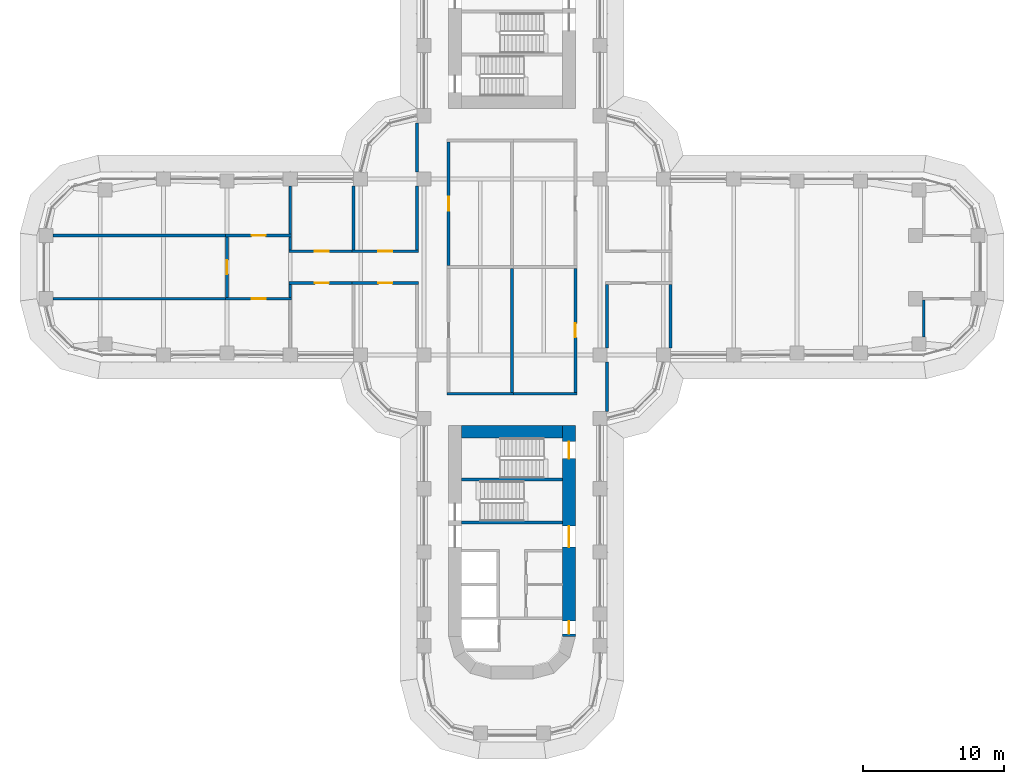
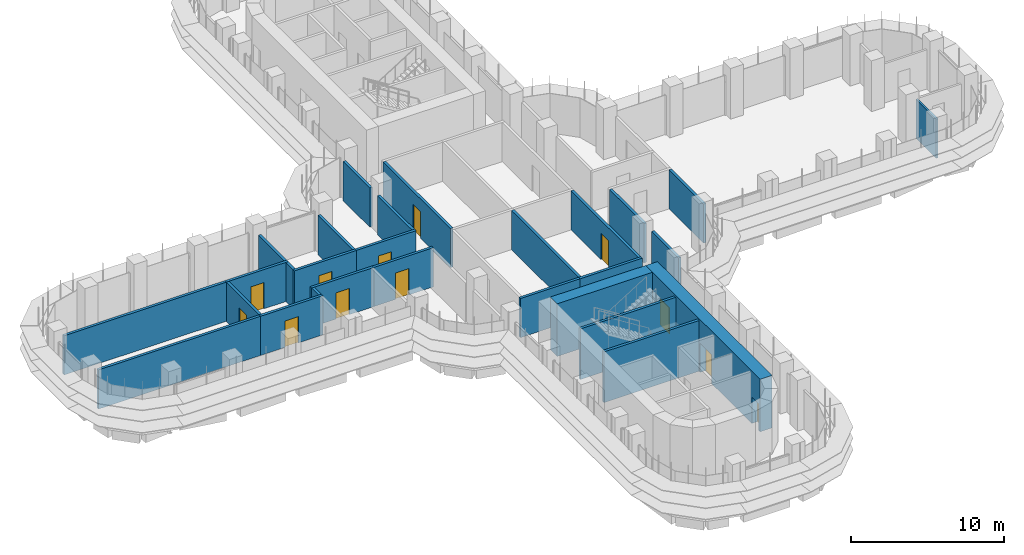
# One storey, part 17 of 23: 28 walls, 12 doors, 12 openings.
"""IFC4 building model written with IfcOpenShell, lengths in metres."""

import ifcopenshell
import ifcopenshell.guid

model = None  # the IFC model being written
_history = None  # IfcOwnerHistory: only IFC2X3 demands one
_inside = {}  # id of a spatial element -> (the spatial element, [elements in it])
_under = {}  # id of a project, library or spatial element -> (it, [spatial elements below it])
_declared = {}  # id of a project -> (the project, [libraries it declares])
_typed = {}  # id of a type object -> (the type object, [elements of that type])
_made_of = {}  # id of a material, layer set ... -> (it, [elements and type objects made of it])


def new_model(schema):
    """Start an empty IFC model of exactly this schema.

    Asked for "IFC4X3", IfcOpenShell would pick the latest addendum, in which some entities
    have other attributes; the version numbers below select the first issue.
    IFC2X3 requires an IfcOwnerHistory on every rooted entity: one is made here for all.
    """
    global model, _history
    if schema == "IFC4X3":
        model = ifcopenshell.file(schema_version=(4, 3, 0, 0))
    else:
        model = ifcopenshell.file(schema=schema)
    _inside.clear()
    _under.clear()
    _declared.clear()
    _typed.clear()
    _made_of.clear()
    _history = None
    if model.schema == "IFC2X3":
        org = make("IfcOrganization", Name="unknown")
        user = make(
            "IfcPersonAndOrganization",
            ThePerson=make("IfcPerson", FamilyName="unknown"),
            TheOrganization=org,
        )
        app = make(
            "IfcApplication",
            ApplicationDeveloper=org,
            Version="unknown",
            ApplicationFullName="unknown",
            ApplicationIdentifier="unknown",
        )
        _history = make(
            "IfcOwnerHistory",
            OwningUser=user,
            OwningApplication=app,
            ChangeAction="ADDED",
            CreationDate=0,
        )
    return model


def make(cls, **values):
    """One entity of the class cls with the attributes given. An attribute that is None is left unset."""
    return model.create_entity(
        cls, **{name: value for name, value in values.items() if value is not None}
    )


def rooted(cls, **values):
    """An entity with a GlobalId (a new one), such as an element, a storey or a relation."""
    return make(cls, GlobalId=ifcopenshell.guid.new(), OwnerHistory=_history, **values)


def si_unit(unit_type, name, prefix=None):
    """IfcSIUnit, for example si_unit("LENGTHUNIT", "METRE", prefix="MILLI")."""
    return make("IfcSIUnit", UnitType=unit_type, Prefix=prefix, Name=name)


def assignment(units):
    """IfcUnitAssignment: the units of a project."""
    return None if units is None else make("IfcUnitAssignment", Units=units)


def point(xyz):
    """IfcCartesianPoint."""
    return None if xyz is None else make("IfcCartesianPoint", Coordinates=xyz)


def direction(xyz):
    """IfcDirection."""
    return None if xyz is None else make("IfcDirection", DirectionRatios=xyz)


def frame(location, z_axis=None, x_axis=None):
    """IfcAxis2Placement3D, a coordinate frame: its origin and axes. An axis left out is left unset."""
    return make(
        "IfcAxis2Placement3D",
        Location=point(location),
        Axis=direction(z_axis),
        RefDirection=direction(x_axis),
    )


def frame_2d(location, x_axis=None):
    """IfcAxis2Placement2D, a coordinate frame in the plane: its origin and x axis."""
    return make(
        "IfcAxis2Placement2D", Location=point(location), RefDirection=direction(x_axis)
    )


def origin():
    """The frame at (0, 0, 0) with its axes left unset."""
    return frame((0.0, 0.0, 0.0))


def place(relative_to, where):
    """IfcLocalPlacement: puts the frame where relative to a parent placement (None: the world)."""
    return make(
        "IfcLocalPlacement", PlacementRelTo=relative_to, RelativePlacement=where
    )


def context(
    kind, dimensions, precision=None, world=None, true_north=None, identifier=None
):
    """IfcGeometricRepresentationContext, for example the 3D "Model" context."""
    return make(
        "IfcGeometricRepresentationContext",
        ContextIdentifier=identifier,
        ContextType=kind,
        CoordinateSpaceDimension=dimensions,
        Precision=precision,
        WorldCoordinateSystem=world,
        TrueNorth=true_north,
    )


def subcontext(parent, identifier, kind, view, scale=None):
    """IfcGeometricRepresentationSubContext, for example "Body" below "Model"."""
    return make(
        "IfcGeometricRepresentationSubContext",
        ContextIdentifier=identifier,
        ContextType=kind,
        ParentContext=parent,
        TargetScale=scale,
        TargetView=view,
    )


def project(units=None, contexts=None):
    """IfcProject with its units and contexts."""
    return rooted(
        "IfcProject",
        Name="project",
        RepresentationContexts=contexts,
        UnitsInContext=assignment(units),
    )


def spatial(cls, under=None, at=None, **own):
    """A site, building, storey or space (cls), placed at a placement, below another one or the project."""
    s = rooted(cls, ObjectPlacement=at, **own)
    if under is not None:
        _under.setdefault(under.id(), (under, []))[1].append(s)
    return s


def profile(cls, at=None, kind="AREA", **sizes):
    """A parametric profile (cls). Its sizes go by their IFC names, for example OverallWidth=200.0."""
    return make(cls, ProfileType=kind, Position=at, **sizes)


def rectangle(**sizes):
    """IfcRectangleProfileDef."""
    return profile("IfcRectangleProfileDef", **sizes)


def extrude(swept, where, along, depth):
    """IfcExtrudedAreaSolid: the profile swept, set in the frame where, extruded along a direction by depth."""
    return make(
        "IfcExtrudedAreaSolid",
        SweptArea=swept,
        Position=where,
        ExtrudedDirection=direction(along),
        Depth=depth,
    )


def shape(context_of_items, identifier, shape_type, items):
    """IfcShapeRepresentation: the items that make up one representation, for example the "Body"."""
    return make(
        "IfcShapeRepresentation",
        ContextOfItems=context_of_items,
        RepresentationIdentifier=identifier,
        RepresentationType=shape_type,
        Items=items,
    )


def material(Name=None, Category=None):
    """IfcMaterial."""
    return make("IfcMaterial", Name=Name, Category=Category)


def layer(
    of_material, thickness, ventilated=None, Name=None, Category=None, Priority=None
):
    """IfcMaterialLayer: one layer of a wall or slab, of a material (None: an air gap)."""
    return make(
        "IfcMaterialLayer",
        Material=of_material,
        LayerThickness=thickness,
        IsVentilated=ventilated,
        Name=Name,
        Category=Category,
        Priority=Priority,
    )


def layer_set(layers, Name=None):
    """IfcMaterialLayerSet."""
    return make("IfcMaterialLayerSet", MaterialLayers=layers, LayerSetName=Name)


def made_of(thing, what):
    """Note that an element or type object is made of a material, layer set ...; save() writes the relation."""
    if what is not None:
        _made_of.setdefault(what.id(), (what, []))[1].append(thing)
    return thing


def type_object(cls, material=None, **own):
    """A type object (cls), such as IfcWallType, which elements share."""
    return made_of(rooted(cls, **own), material)


def element(
    cls,
    number,
    at=None,
    inside=None,
    cuts=None,
    type_object=None,
    material=None,
    context=None,
    identifier="Body",
    shape_type=None,
    held_by="IfcProductDefinitionShape",
    body=None,
    shapes=None,
    **own,
):
    """One element of the class cls, such as IfcWall. Its Tag is "e" and its number.

    at: its placement. inside: the storey or other place that contains it. cuts: it is an
    opening in that element (IfcRelVoidsElement). A single representation is given by context,
    identifier, shape_type and body (its items); several are given by shapes. held_by: the class
    of the entity that holds the representations. save() writes the other relations.
    """
    e = rooted(cls, Tag="e%d" % number, ObjectPlacement=at, **own)
    if body is not None:
        shapes = [shape(context, identifier, shape_type, body)]
    if shapes is not None:
        e.Representation = make(held_by, Representations=shapes)
    if inside is not None:
        _inside.setdefault(inside.id(), (inside, []))[1].append(e)
    if cuts is not None:
        rooted(
            "IfcRelVoidsElement", RelatingBuildingElement=cuts, RelatedOpeningElement=e
        )
    if type_object is not None:
        _typed.setdefault(type_object.id(), (type_object, []))[1].append(e)
    return made_of(e, material)


def fill(opening, filler):
    """IfcRelFillsElement: the door or window that sits in an opening."""
    return rooted(
        "IfcRelFillsElement",
        RelatingOpeningElement=opening,
        RelatedBuildingElement=filler,
    )


def aggregate(whole, parts):
    """IfcRelAggregates: a whole, such as a stair, and the parts it consists of."""
    return rooted("IfcRelAggregates", RelatingObject=whole, RelatedObjects=parts)


def save(model, path):
    """Write the relations noted so far, then the file.

    IfcRelAggregates (storeys below a building ...), IfcRelContainedInSpatialStructure (elements
    in a storey), IfcRelDefinesByType, IfcRelAssociatesMaterial and IfcRelDeclares: one each for
    every whole, place, type object, material and project.
    """
    for whole, parts in _under.values():
        aggregate(whole, parts)
    for where, things in _inside.values():
        rooted(
            "IfcRelContainedInSpatialStructure",
            RelatedElements=things,
            RelatingStructure=where,
        )
    for kind, things in _typed.values():
        rooted("IfcRelDefinesByType", RelatedObjects=things, RelatingType=kind)
    for what, things in _made_of.values():
        rooted("IfcRelAssociatesMaterial", RelatedObjects=things, RelatingMaterial=what)
    for by, libraries in _declared.values():
        rooted("IfcRelDeclares", RelatingContext=by, RelatedDefinitions=libraries)
    model.write(path)


model = new_model("IFC4")

# Units and contexts
model_context = context("Model", 3, precision=1e-05, world=origin(), true_north=direction((0.0, 1.0)))
body_context = subcontext(model_context, "Body", "Model", "MODEL_VIEW")
ifc_project = project(units=[si_unit("LENGTHUNIT", "METRE"), si_unit("AREAUNIT", "SQUARE_METRE"), si_unit("VOLUMEUNIT", "CUBIC_METRE"), si_unit("PLANEANGLEUNIT", "RADIAN"), si_unit("MASSUNIT", "GRAM", prefix="KILO")], contexts=[model_context])

# Site, building, storey
site_placement = place(None, origin())
site = spatial("IfcSite", under=ifc_project, at=site_placement, CompositionType="ELEMENT")
building_placement = place(site_placement, origin())
building = spatial("IfcBuilding", under=site, at=building_placement, Name="Zarbagh Exchange Tower", CompositionType="ELEMENT")
storey_placement = place(building_placement, frame((0.0, 0.0, 60.60009765625)))
storey = spatial("IfcBuildingStorey", under=building, at=storey_placement, Name="L13", CompositionType="ELEMENT", Elevation=60.60009765625)

# Wall
ifc_material_1 = material(Name="Plasterboard partition")
ifc_layer_1 = layer(ifc_material_1, 0.14990234375)
ifc_layer_set_1 = layer_set([ifc_layer_1], Name="PARTITION 150")
wall_type_1 = type_object("IfcWallType", Name="PARTITION 150", PredefinedType="PARTITIONING", material=ifc_layer_set_1)
wall_1_placement = place(storey_placement, frame((29.25, -4.97509765625, 0.0), z_axis=(0.0, 0.0, 1.0), x_axis=(0.0, 1.0, 0.0)))
element("IfcWall", 1, at=wall_1_placement, inside=storey, type_object=wall_type_1, Name="Partition W-429", PredefinedType="PARTITIONING", context=body_context, shape_type="SweptSolid", body=[
    extrude(rectangle(XDim=2.650146484375, YDim=0.14990234375, at=frame_2d((1.3251953125, 0.0))), origin(), (0.0, 0.0, 1.0), 3.13037109375),
])

# Wall, opening, door
ifc_material_2 = material(Name="Fire-rated plasterboard partition")
ifc_layer_2 = layer(ifc_material_2, 0.199951171875)
ifc_layer_set_2 = layer_set([ifc_layer_2], Name="RATED PARTITION 200")
wall_type_2 = type_object("IfcWallType", Name="RATED PARTITION 200", PredefinedType="PARTITIONING", material=ifc_layer_set_2)
wall_2_placement = place(storey_placement, frame((-4.5, 8.89990234375, 0.0), z_axis=(0.0, 0.0, 1.0), x_axis=(0.0, -1.0, 0.0)))
wall_2 = element("IfcWall", 2, at=wall_2_placement, inside=storey, type_object=wall_type_2, Name="Partition W-401", PredefinedType="PARTITIONING", context=body_context, shape_type="SweptSolid", body=[
    extrude(rectangle(XDim=8.7998046875, YDim=0.199951171875, at=frame_2d((4.39990234375, 0.0))), origin(), (0.0, 0.0, 1.0), 3.13037109375),
])
opening_1_placement = place(wall_2_placement, frame((3.89990234375, 0.0, 0.0)))
opening_1 = element("IfcOpeningElement", 3, at=opening_1_placement, cuts=wall_2, Name="Opening D-402", PredefinedType="OPENING", context=body_context, shape_type="SweptSolid", body=[
    extrude(rectangle(XDim=1.0, YDim=2.10009765625, at=frame_2d((0.5, 1.050048828125))), frame((0.0, 0.10986328125, 0.0), z_axis=(0.0, -1.0, 0.0), x_axis=(1.0, 0.0, 0.0)), (0.0, 0.0, 1.0), 0.219970703125),
])
ifc_material_3 = material(Name="Steel door set", Category="steel")
door_type_1 = type_object("IfcDoorType", Name="FIRE DOOR 1000 X 2100 FD30S", OperationType="NOTDEFINED", PredefinedType="DOOR", material=ifc_material_3)
door_1_placement = place(opening_1_placement, origin())
door_1 = element("IfcDoor", 4, at=door_1_placement, inside=storey, type_object=door_type_1, Name="Door D-402", OperationType="SINGLE_SWING_RIGHT", OverallHeight=2.10009765625, OverallWidth=1.0, PredefinedType="DOOR", context=body_context, shape_type="SweptSolid", body=[
    extrude(rectangle(XDim=1.0, YDim=2.10009765625, at=frame_2d((0.5, 1.050048828125))), frame((0.0, 0.02490234375, 0.0), z_axis=(0.0, -1.0, 0.0), x_axis=(1.0, 0.0, 0.0)), (0.0, 0.0, 1.0), 0.050048828125),
])
fill(opening_1, door_1)

# Walls
wall_3_placement = place(storey_placement, frame((-6.75, 1.22509765625, 0.0), z_axis=(0.0, 0.0, 1.0), x_axis=(0.0, 1.0, 0.0)))
element("IfcWall", 5, at=wall_3_placement, inside=storey, type_object=wall_type_2, Name="Partition W-403", PredefinedType="PARTITIONING", context=body_context, shape_type="SweptSolid", body=[
    extrude(rectangle(XDim=4.52490234375, YDim=0.199951171875, at=frame_2d((2.262451171875, 0.0))), origin(), (0.0, 0.0, 1.0), 3.13037109375),
])
wall_4_placement = place(storey_placement, frame((-6.75, 6.75, 0.0), z_axis=(0.0, 0.0, 1.0), x_axis=(0.0, 1.0, 0.0)))
element("IfcWall", 6, at=wall_4_placement, inside=storey, type_object=wall_type_2, Name="Partition W-404", PredefinedType="PARTITIONING", context=body_context, shape_type="SweptSolid", body=[
    extrude(rectangle(XDim=3.5, YDim=0.199951171875, at=frame_2d((1.75, 0.0))), origin(), (0.0, 0.0, 1.0), 3.13037109375),
])

# Wall, opening, door
wall_5_placement = place(storey_placement, frame((4.5, -8.89990234375, 0.0), z_axis=(0.0, 0.0, 1.0), x_axis=(0.0, 1.0, 0.0)))
wall_5 = element("IfcWall", 7, at=wall_5_placement, inside=storey, type_object=wall_type_2, Name="Partition W-408", PredefinedType="PARTITIONING", context=body_context, shape_type="SweptSolid", body=[
    extrude(rectangle(XDim=8.7998046875, YDim=0.199951171875, at=frame_2d((4.39990234375, 0.0))), origin(), (0.0, 0.0, 1.0), 3.13037109375),
])
opening_2_placement = place(wall_5_placement, frame((3.89990234375, 0.0, 0.0)))
opening_2 = element("IfcOpeningElement", 8, at=opening_2_placement, cuts=wall_5, Name="Opening D-403", PredefinedType="OPENING", context=body_context, shape_type="SweptSolid", body=[
    extrude(rectangle(XDim=1.0, YDim=2.10009765625, at=frame_2d((0.5, 1.050048828125))), frame((0.0, 0.10986328125, 0.0), z_axis=(0.0, -1.0, 0.0), x_axis=(1.0, 0.0, 0.0)), (0.0, 0.0, 1.0), 0.219970703125),
])
door_2_placement = place(opening_2_placement, origin())
door_2 = element("IfcDoor", 9, at=door_2_placement, inside=storey, type_object=door_type_1, Name="Door D-403", OperationType="SINGLE_SWING_RIGHT", OverallHeight=2.10009765625, OverallWidth=1.0, PredefinedType="DOOR", context=body_context, shape_type="SweptSolid", body=[
    extrude(rectangle(XDim=1.0, YDim=2.10009765625, at=frame_2d((0.5, 1.050048828125))), frame((0.0, 0.02490234375, 0.0), z_axis=(0.0, -1.0, 0.0), x_axis=(1.0, 0.0, 0.0)), (0.0, 0.0, 1.0), 0.050048828125),
])
fill(opening_2, door_2)

# Walls
wall_6_placement = place(storey_placement, frame((6.75, -10.25, 0.0), z_axis=(0.0, 0.0, 1.0), x_axis=(0.0, 1.0, 0.0)))
element("IfcWall", 10, at=wall_6_placement, inside=storey, type_object=wall_type_2, Name="Partition W-411", PredefinedType="PARTITIONING", context=body_context, shape_type="SweptSolid", body=[
    extrude(rectangle(XDim=3.5, YDim=0.199951171875, at=frame_2d((1.75, 0.0))), origin(), (0.0, 0.0, 1.0), 3.13037109375),
])
wall_7_placement = place(storey_placement, frame((6.75, -5.75, 0.0), z_axis=(0.0, 0.0, 1.0), x_axis=(0.0, 1.0, 0.0)))
element("IfcWall", 11, at=wall_7_placement, inside=storey, type_object=wall_type_2, Name="Partition W-412", PredefinedType="PARTITIONING", context=body_context, shape_type="SweptSolid", body=[
    extrude(rectangle(XDim=4.52490234375, YDim=0.199951171875, at=frame_2d((2.262451171875, 0.0))), origin(), (0.0, 0.0, 1.0), 3.13037109375),
])
for number, where, z_axis, x_axis, name in (
    (12, (-4.60009765625, -9.0, 0.0), (0.0, 0.0, 1.0), (1.0, 0.0, 0.0), "Partition W-415"),
    (13, (-0.10009765625, -9.0, 0.0), (0.0, 0.0, 1.0), (1.0, 0.0, 0.0), "Partition W-416"),
):
    element("IfcWall", number, at=place(storey_placement, frame(where, z_axis=z_axis, x_axis=x_axis)), inside=storey, type_object=wall_type_2, Name=name, PredefinedType="PARTITIONING", context=body_context, shape_type="SweptSolid", body=[
        extrude(rectangle(XDim=4.7001953125, YDim=0.199951171875, at=frame_2d((2.35009765625, 0.0))), origin(), (0.0, 0.0, 1.0), 3.13037109375),
    ])
wall_8_placement = place(storey_placement, frame((0.0, -8.89990234375, 0.0), z_axis=(0.0, 0.0, 1.0), x_axis=(0.0, 1.0, 0.0)))
element("IfcWall", 14, at=wall_8_placement, inside=storey, type_object=wall_type_2, Name="Partition W-420", PredefinedType="PARTITIONING", context=body_context, shape_type="SweptSolid", body=[
    extrude(rectangle(XDim=8.7998046875, YDim=0.199951171875, at=frame_2d((4.39990234375, 0.0))), origin(), (0.0, 0.0, 1.0), 3.13037109375),
])
wall_9_placement = place(storey_placement, frame((11.25, -5.75, 0.0), z_axis=(0.0, 0.0, 1.0), x_axis=(0.0, 1.0, 0.0)))
element("IfcWall", 15, at=wall_9_placement, inside=storey, type_object=wall_type_2, Name="Partition W-425", PredefinedType="PARTITIONING", context=body_context, shape_type="SweptSolid", body=[
    extrude(rectangle(XDim=4.52490234375, YDim=0.199951171875, at=frame_2d((2.262451171875, 0.0))), origin(), (0.0, 0.0, 1.0), 3.13037109375),
])

# Wall, opening, door
wall_10_placement = place(storey_placement, frame((-11.35009765625, 1.125, 0.0), z_axis=(0.0, 0.0, 1.0), x_axis=(1.0, 0.0, 0.0)))
wall_10 = element("IfcWall", 16, at=wall_10_placement, inside=storey, type_object=wall_type_2, Name="Partition W-430", PredefinedType="PARTITIONING", context=body_context, shape_type="SweptSolid", body=[
    extrude(rectangle(XDim=4.7001953125, YDim=0.199951171875, at=frame_2d((2.35009765625, 0.0))), origin(), (0.0, 0.0, 1.0), 3.13037109375),
])
opening_3_placement = place(wall_10_placement, frame((1.85009765625, 0.0, 0.0)))
opening_3 = element("IfcOpeningElement", 17, at=opening_3_placement, cuts=wall_10, Name="Opening D-412", PredefinedType="OPENING", context=body_context, shape_type="SweptSolid", body=[
    extrude(rectangle(XDim=1.0, YDim=2.10009765625, at=frame_2d((0.5, 1.050048828125))), frame((0.0, 0.10986328125, 0.0), z_axis=(0.0, -1.0, 0.0), x_axis=(1.0, 0.0, 0.0)), (0.0, 0.0, 1.0), 0.219970703125),
])
door_3_placement = place(opening_3_placement, origin())
door_3 = element("IfcDoor", 18, at=door_3_placement, inside=storey, type_object=door_type_1, Name="Door D-412", OperationType="SINGLE_SWING_RIGHT", OverallHeight=2.10009765625, OverallWidth=1.0, PredefinedType="DOOR", context=body_context, shape_type="SweptSolid", body=[
    extrude(rectangle(XDim=1.0, YDim=2.10009765625, at=frame_2d((0.5, 1.050048828125))), frame((0.0, 0.02490234375, 0.0), z_axis=(0.0, -1.0, 0.0), x_axis=(1.0, 0.0, 0.0)), (0.0, 0.0, 1.0), 0.050048828125),
])
fill(opening_3, door_3)

wall_11_placement = place(storey_placement, frame((-6.64990234375, -1.125, 0.0), z_axis=(0.0, 0.0, 1.0), x_axis=(-1.0, 0.0, 0.0)))
wall_11 = element("IfcWall", 19, at=wall_11_placement, inside=storey, type_object=wall_type_2, Name="Partition W-431", PredefinedType="PARTITIONING", context=body_context, shape_type="SweptSolid", body=[
    extrude(rectangle(XDim=4.7001953125, YDim=0.199951171875, at=frame_2d((2.35009765625, 0.0))), origin(), (0.0, 0.0, 1.0), 3.13037109375),
])
opening_4_placement = place(wall_11_placement, frame((1.85009765625, 0.0, 0.0)))
opening_4 = element("IfcOpeningElement", 20, at=opening_4_placement, cuts=wall_11, Name="Opening D-415", PredefinedType="OPENING", context=body_context, shape_type="SweptSolid", body=[
    extrude(rectangle(XDim=1.0, YDim=2.10009765625, at=frame_2d((0.5, 1.050048828125))), frame((0.0, 0.10986328125, 0.0), z_axis=(0.0, -1.0, 0.0), x_axis=(1.0, 0.0, 0.0)), (0.0, 0.0, 1.0), 0.219970703125),
])
door_4_placement = place(opening_4_placement, origin())
door_4 = element("IfcDoor", 21, at=door_4_placement, inside=storey, type_object=door_type_1, Name="Door D-415", OperationType="SINGLE_SWING_RIGHT", OverallHeight=2.10009765625, OverallWidth=1.0, PredefinedType="DOOR", context=body_context, shape_type="SweptSolid", body=[
    extrude(rectangle(XDim=1.0, YDim=2.10009765625, at=frame_2d((0.5, 1.050048828125))), frame((0.0, 0.02490234375, 0.0), z_axis=(0.0, -1.0, 0.0), x_axis=(1.0, 0.0, 0.0)), (0.0, 0.0, 1.0), 0.050048828125),
])
fill(opening_4, door_4)

wall_12_placement = place(storey_placement, frame((-15.85009765625, 1.125, 0.0), z_axis=(0.0, 0.0, 1.0), x_axis=(1.0, 0.0, 0.0)))
wall_12 = element("IfcWall", 22, at=wall_12_placement, inside=storey, type_object=wall_type_2, Name="Partition W-432", PredefinedType="PARTITIONING", context=body_context, shape_type="SweptSolid", body=[
    extrude(rectangle(XDim=4.7001953125, YDim=0.199951171875, at=frame_2d((2.35009765625, 0.0))), origin(), (0.0, 0.0, 1.0), 3.13037109375),
])
opening_5_placement = place(wall_12_placement, frame((1.85009765625, 0.0, 0.0)))
opening_5 = element("IfcOpeningElement", 23, at=opening_5_placement, cuts=wall_12, Name="Opening D-413", PredefinedType="OPENING", context=body_context, shape_type="SweptSolid", body=[
    extrude(rectangle(XDim=1.0, YDim=2.10009765625, at=frame_2d((0.5, 1.050048828125))), frame((0.0, 0.10986328125, 0.0), z_axis=(0.0, -1.0, 0.0), x_axis=(1.0, 0.0, 0.0)), (0.0, 0.0, 1.0), 0.219970703125),
])
door_5_placement = place(opening_5_placement, origin())
door_5 = element("IfcDoor", 24, at=door_5_placement, inside=storey, type_object=door_type_1, Name="Door D-413", OperationType="SINGLE_SWING_RIGHT", OverallHeight=2.10009765625, OverallWidth=1.0, PredefinedType="DOOR", context=body_context, shape_type="SweptSolid", body=[
    extrude(rectangle(XDim=1.0, YDim=2.10009765625, at=frame_2d((0.5, 1.050048828125))), frame((0.0, 0.02490234375, 0.0), z_axis=(0.0, -1.0, 0.0), x_axis=(1.0, 0.0, 0.0)), (0.0, 0.0, 1.0), 0.050048828125),
])
fill(opening_5, door_5)

wall_13_placement = place(storey_placement, frame((-11.14990234375, -1.125, 0.0), z_axis=(0.0, 0.0, 1.0), x_axis=(-1.0, 0.0, 0.0)))
wall_13 = element("IfcWall", 25, at=wall_13_placement, inside=storey, type_object=wall_type_2, Name="Partition W-433", PredefinedType="PARTITIONING", context=body_context, shape_type="SweptSolid", body=[
    extrude(rectangle(XDim=4.7001953125, YDim=0.199951171875, at=frame_2d((2.35009765625, 0.0))), origin(), (0.0, 0.0, 1.0), 3.13037109375),
])
opening_6_placement = place(wall_13_placement, frame((1.85009765625, 0.0, 0.0)))
opening_6 = element("IfcOpeningElement", 26, at=opening_6_placement, cuts=wall_13, Name="Opening D-416", PredefinedType="OPENING", context=body_context, shape_type="SweptSolid", body=[
    extrude(rectangle(XDim=1.0, YDim=2.10009765625, at=frame_2d((0.5, 1.050048828125))), frame((0.0, 0.10986328125, 0.0), z_axis=(0.0, -1.0, 0.0), x_axis=(1.0, 0.0, 0.0)), (0.0, 0.0, 1.0), 0.219970703125),
])
door_6_placement = place(opening_6_placement, origin())
door_6 = element("IfcDoor", 27, at=door_6_placement, inside=storey, type_object=door_type_1, Name="Door D-416", OperationType="SINGLE_SWING_RIGHT", OverallHeight=2.10009765625, OverallWidth=1.0, PredefinedType="DOOR", context=body_context, shape_type="SweptSolid", body=[
    extrude(rectangle(XDim=1.0, YDim=2.10009765625, at=frame_2d((0.5, 1.050048828125))), frame((0.0, 0.02490234375, 0.0), z_axis=(0.0, -1.0, 0.0), x_axis=(1.0, 0.0, 0.0)), (0.0, 0.0, 1.0), 0.050048828125),
])
fill(opening_6, door_6)

# Walls
wall_14_placement = place(storey_placement, frame((-11.25, 1.22509765625, 0.0), z_axis=(0.0, 0.0, 1.0), x_axis=(0.0, 1.0, 0.0)))
element("IfcWall", 28, at=wall_14_placement, inside=storey, type_object=wall_type_2, Name="Partition W-434", PredefinedType="PARTITIONING", context=body_context, shape_type="SweptSolid", body=[
    extrude(rectangle(XDim=4.52490234375, YDim=0.199951171875, at=frame_2d((2.262451171875, 0.0))), origin(), (0.0, 0.0, 1.0), 3.13037109375),
])
wall_15_placement = place(storey_placement, frame((-15.75, 1.22509765625, 0.0), z_axis=(0.0, 0.0, 1.0), x_axis=(0.0, 1.0, 0.0)))
element("IfcWall", 29, at=wall_15_placement, inside=storey, type_object=wall_type_2, Name="Partition W-436", PredefinedType="PARTITIONING", context=body_context, shape_type="SweptSolid", body=[
    extrude(rectangle(XDim=0.9248046875, YDim=0.199951171875, at=frame_2d((0.46240234375, 0.0))), origin(), (0.0, 0.0, 1.0), 3.13037109375),
])
wall_16_placement = place(storey_placement, frame((-15.75, 2.35009765625, 0.0), z_axis=(0.0, 0.0, 1.0), x_axis=(0.0, 1.0, 0.0)))
element("IfcWall", 30, at=wall_16_placement, inside=storey, type_object=wall_type_2, Name="Partition W-437", PredefinedType="PARTITIONING", context=body_context, shape_type="SweptSolid", body=[
    extrude(rectangle(XDim=3.39990234375, YDim=0.199951171875, at=frame_2d((1.699951171875, 0.0))), origin(), (0.0, 0.0, 1.0), 3.13037109375),
])
wall_17_placement = place(storey_placement, frame((-15.75, -2.14990234375, 0.0), z_axis=(0.0, 0.0, 1.0), x_axis=(0.0, 1.0, 0.0)))
element("IfcWall", 31, at=wall_17_placement, inside=storey, type_object=wall_type_2, Name="Partition W-438", PredefinedType="PARTITIONING", context=body_context, shape_type="SweptSolid", body=[
    extrude(rectangle(XDim=0.9248046875, YDim=0.199951171875, at=frame_2d((0.46240234375, 0.0))), origin(), (0.0, 0.0, 1.0), 3.13037109375),
])

# Wall, opening, door
wall_18_placement = place(storey_placement, frame((-20.35009765625, 2.25, 0.0), z_axis=(0.0, 0.0, 1.0), x_axis=(1.0, 0.0, 0.0)))
wall_18 = element("IfcWall", 32, at=wall_18_placement, inside=storey, type_object=wall_type_2, Name="Partition W-440", PredefinedType="PARTITIONING", context=body_context, shape_type="SweptSolid", body=[
    extrude(rectangle(XDim=4.7001953125, YDim=0.199951171875, at=frame_2d((2.35009765625, 0.0))), origin(), (0.0, 0.0, 1.0), 3.13037109375),
])
opening_7_placement = place(wall_18_placement, frame((1.85009765625, 0.0, 0.0)))
opening_7 = element("IfcOpeningElement", 33, at=opening_7_placement, cuts=wall_18, Name="Opening D-411", PredefinedType="OPENING", context=body_context, shape_type="SweptSolid", body=[
    extrude(rectangle(XDim=1.0, YDim=2.10009765625, at=frame_2d((0.5, 1.050048828125))), frame((0.0, 0.10986328125, 0.0), z_axis=(0.0, -1.0, 0.0), x_axis=(1.0, 0.0, 0.0)), (0.0, 0.0, 1.0), 0.219970703125),
])
door_7_placement = place(opening_7_placement, origin())
door_7 = element("IfcDoor", 34, at=door_7_placement, inside=storey, type_object=door_type_1, Name="Door D-411", OperationType="SINGLE_SWING_RIGHT", OverallHeight=2.10009765625, OverallWidth=1.0, PredefinedType="DOOR", context=body_context, shape_type="SweptSolid", body=[
    extrude(rectangle(XDim=1.0, YDim=2.10009765625, at=frame_2d((0.5, 1.050048828125))), frame((0.0, 0.02490234375, 0.0), z_axis=(0.0, -1.0, 0.0), x_axis=(1.0, 0.0, 0.0)), (0.0, 0.0, 1.0), 0.050048828125),
])
fill(opening_7, door_7)

wall_19_placement = place(storey_placement, frame((-15.64990234375, -2.25, 0.0), z_axis=(0.0, 0.0, 1.0), x_axis=(-1.0, 0.0, 0.0)))
wall_19 = element("IfcWall", 35, at=wall_19_placement, inside=storey, type_object=wall_type_2, Name="Partition W-441", PredefinedType="PARTITIONING", context=body_context, shape_type="SweptSolid", body=[
    extrude(rectangle(XDim=4.7001953125, YDim=0.199951171875, at=frame_2d((2.35009765625, 0.0))), origin(), (0.0, 0.0, 1.0), 3.13037109375),
])
opening_8_placement = place(wall_19_placement, frame((1.85009765625, 0.0, 0.0)))
opening_8 = element("IfcOpeningElement", 36, at=opening_8_placement, cuts=wall_19, Name="Opening D-414", PredefinedType="OPENING", context=body_context, shape_type="SweptSolid", body=[
    extrude(rectangle(XDim=1.0, YDim=2.10009765625, at=frame_2d((0.5, 1.050048828125))), frame((0.0, 0.10986328125, 0.0), z_axis=(0.0, -1.0, 0.0), x_axis=(1.0, 0.0, 0.0)), (0.0, 0.0, 1.0), 0.219970703125),
])
door_8_placement = place(opening_8_placement, origin())
door_8 = element("IfcDoor", 37, at=door_8_placement, inside=storey, type_object=door_type_1, Name="Door D-414", OperationType="SINGLE_SWING_LEFT", OverallHeight=2.10009765625, OverallWidth=1.0, PredefinedType="DOOR", context=body_context, shape_type="SweptSolid", body=[
    extrude(rectangle(XDim=1.0, YDim=2.10009765625, at=frame_2d((0.5, 1.050048828125))), frame((0.0, 0.02490234375, 0.0), z_axis=(0.0, -1.0, 0.0), x_axis=(1.0, 0.0, 0.0)), (0.0, 0.0, 1.0), 0.050048828125),
])
fill(opening_8, door_8)

wall_20_placement = place(storey_placement, frame((-20.25, -2.14990234375, 0.0), z_axis=(0.0, 0.0, 1.0), x_axis=(0.0, 1.0, 0.0)))
wall_20 = element("IfcWall", 38, at=wall_20_placement, inside=storey, type_object=wall_type_2, Name="Partition W-442", PredefinedType="PARTITIONING", context=body_context, shape_type="SweptSolid", body=[
    extrude(rectangle(XDim=4.2998046875, YDim=0.199951171875, at=frame_2d((2.14990234375, 0.0))), origin(), (0.0, 0.0, 1.0), 3.13037109375),
])
opening_9_placement = place(wall_20_placement, frame((1.64990234375, 0.0, 0.0)))
opening_9 = element("IfcOpeningElement", 39, at=opening_9_placement, cuts=wall_20, Name="Opening D-410", PredefinedType="OPENING", context=body_context, shape_type="SweptSolid", body=[
    extrude(rectangle(XDim=1.0, YDim=2.10009765625, at=frame_2d((0.5, 1.050048828125))), frame((0.0, 0.10986328125, 0.0), z_axis=(0.0, -1.0, 0.0), x_axis=(1.0, 0.0, 0.0)), (0.0, 0.0, 1.0), 0.219970703125),
])
door_9_placement = place(opening_9_placement, origin())
door_9 = element("IfcDoor", 40, at=door_9_placement, inside=storey, type_object=door_type_1, Name="Door D-410", OperationType="SINGLE_SWING_RIGHT", OverallHeight=2.10009765625, OverallWidth=1.0, PredefinedType="DOOR", context=body_context, shape_type="SweptSolid", body=[
    extrude(rectangle(XDim=1.0, YDim=2.10009765625, at=frame_2d((0.5, 1.050048828125))), frame((0.0, 0.02490234375, 0.0), z_axis=(0.0, -1.0, 0.0), x_axis=(1.0, 0.0, 0.0)), (0.0, 0.0, 1.0), 0.050048828125),
])
fill(opening_9, door_9)

# Walls
for number, where, z_axis, x_axis, name in (
    (41, (-32.610107421875, 2.25, 0.0), (0.0, 0.0, 1.0), (1.0, 0.0, 0.0), "Partition W-443"),
    (42, (-32.610107421875, -2.25, 0.0), (0.0, 0.0, 1.0), (1.0, 0.0, 0.0), "Partition W-444"),
):
    element("IfcWall", number, at=place(storey_placement, frame(where, z_axis=z_axis, x_axis=x_axis)), inside=storey, type_object=wall_type_2, Name=name, PredefinedType="PARTITIONING", context=body_context, shape_type="SweptSolid", body=[
        extrude(rectangle(XDim=12.460205078125, YDim=0.199951171875, at=frame_2d((6.22998046875, 0.0))), origin(), (0.0, 0.0, 1.0), 3.13037109375),
    ])

# Wall, openings, doors
ifc_material_4 = material(Name="Concrete C60/75", Category="concrete")
ifc_layer_3 = layer(ifc_material_4, 0.89990234375)
ifc_layer_set_3 = layer_set([ifc_layer_3], Name="RC core wall 900 C60/75")
wall_type_3 = type_object("IfcWallType", Name="RC core wall 900 C60/75", PredefinedType="SHEAR", material=ifc_layer_set_3)
wall_21_placement = place(storey_placement, frame((4.050048828125, -11.25, 0.0), z_axis=(0.0, 0.0, 1.0), x_axis=(0.0, -1.0, 0.0)))
wall_21 = element("IfcWall", 43, at=wall_21_placement, inside=storey, type_object=wall_type_3, Name="CW1 core S E", PredefinedType="SHEAR", context=body_context, shape_type="SweptSolid", body=[
    extrude(rectangle(XDim=15.0, YDim=0.89990234375, at=frame_2d((7.5, 0.0))), origin(), (0.0, 0.0, 1.0), 4.199951171875),
])
opening_10_placement = place(wall_21_placement, frame((7.14990234375, 0.0, 0.0)))
opening_10 = element("IfcOpeningElement", 44, at=opening_10_placement, cuts=wall_21, Name="Opening CD1-1500", PredefinedType="OPENING", context=body_context, shape_type="SweptSolid", body=[
    extrude(rectangle(XDim=1.5, YDim=2.300048828125, at=frame_2d((0.75, 1.14990234375))), frame((0.0, 0.4599609375, 0.0), z_axis=(0.0, -1.0, 0.0), x_axis=(1.0, 0.0, 0.0)), (0.0, 0.0, 1.0), 0.919921875),
])
opening_11_placement = place(wall_21_placement, frame((13.89990234375, 0.0, 0.0)))
opening_11 = element("IfcOpeningElement", 45, at=opening_11_placement, cuts=wall_21, Name="Opening CD2-900", PredefinedType="OPENING", context=body_context, shape_type="SweptSolid", body=[
    extrude(rectangle(XDim=0.89990234375, YDim=2.10009765625, at=frame_2d((0.449951171875, 1.050048828125))), frame((0.0, 0.4599609375, 0.0), z_axis=(0.0, -1.0, 0.0), x_axis=(1.0, 0.0, 0.0)), (0.0, 0.0, 1.0), 0.919921875),
])
opening_12_placement = place(wall_21_placement, frame((1.14990234375, 0.0, 0.0)))
opening_12 = element("IfcOpeningElement", 46, at=opening_12_placement, cuts=wall_21, Name="Opening SD1-1200", PredefinedType="OPENING", context=body_context, shape_type="SweptSolid", body=[
    extrude(rectangle(XDim=1.199951171875, YDim=2.10009765625, at=frame_2d((0.60009765625, 1.050048828125))), frame((0.0, 0.4599609375, 0.0), z_axis=(0.0, -1.0, 0.0), x_axis=(1.0, 0.0, 0.0)), (0.0, 0.0, 1.0), 0.919921875),
])
ifc_material_5 = material(Name="Steel", Category="steel")
door_type_2 = type_object("IfcDoorType", Name="Exit stair door 1200 x 2100", OperationType="NOTDEFINED", PredefinedType="DOOR", material=ifc_material_5)
door_10_placement = place(opening_12_placement, origin())
door_10 = element("IfcDoor", 47, at=door_10_placement, inside=storey, type_object=door_type_2, Name="South core stair door ST2", OperationType="SINGLE_SWING_LEFT", OverallHeight=2.10009765625, OverallWidth=1.199951171875, PredefinedType="DOOR", context=body_context, shape_type="SweptSolid", body=[
    extrude(rectangle(XDim=1.199951171875, YDim=2.10009765625, at=frame_2d((0.60009765625, 1.050048828125))), frame((0.0, 0.02490234375, 0.0), z_axis=(0.0, -1.0, 0.0), x_axis=(1.0, 0.0, 0.0)), (0.0, 0.0, 1.0), 0.050048828125),
])
fill(opening_12, door_10)
door_type_3 = type_object("IfcDoorType", Name="Firefighting lobby door 900 x 2100", OperationType="NOTDEFINED", PredefinedType="DOOR", material=ifc_material_5)
door_11_placement = place(opening_11_placement, origin())
door_11 = element("IfcDoor", 48, at=door_11_placement, inside=storey, type_object=door_type_3, Name="South core firefighting lobby door FF-W", OperationType="SINGLE_SWING_LEFT", OverallHeight=2.10009765625, OverallWidth=0.89990234375, PredefinedType="DOOR", context=body_context, shape_type="SweptSolid", body=[
    extrude(rectangle(XDim=0.89990234375, YDim=2.10009765625, at=frame_2d((0.449951171875, 1.050048828125))), frame((0.0, 0.02490234375, 0.0), z_axis=(0.0, -1.0, 0.0), x_axis=(1.0, 0.0, 0.0)), (0.0, 0.0, 1.0), 0.050048828125),
])
fill(opening_11, door_11)
door_type_4 = type_object("IfcDoorType", Name="Lift lobby double door 1500 x 2300", OperationType="NOTDEFINED", PredefinedType="DOOR", material=ifc_material_5)
door_12_placement = place(opening_10_placement, origin())
door_12 = element("IfcDoor", 49, at=door_12_placement, inside=storey, type_object=door_type_4, Name="South core lift lobby door LOBBY-W", OperationType="DOUBLE_DOOR_SINGLE_SWING", OverallHeight=2.300048828125, OverallWidth=1.5, PredefinedType="DOOR", context=body_context, shape_type="SweptSolid", body=[
    extrude(rectangle(XDim=1.5, YDim=2.300048828125, at=frame_2d((0.75, 1.14990234375))), frame((0.0, 0.02490234375, 0.0), z_axis=(0.0, -1.0, 0.0), x_axis=(1.0, 0.0, 0.0)), (0.0, 0.0, 1.0), 0.050048828125),
])
fill(opening_10, door_12)

# Walls
wall_22_placement = place(storey_placement, frame((-3.60009765625, -11.699951171875, 0.0), z_axis=(0.0, 0.0, 1.0), x_axis=(1.0, 0.0, 0.0)))
element("IfcWall", 50, at=wall_22_placement, inside=storey, type_object=wall_type_3, Name="CW1 core S inner end", PredefinedType="SHEAR", context=body_context, shape_type="SweptSolid", body=[
    extrude(rectangle(XDim=7.2001953125, YDim=0.89990234375, at=frame_2d((3.60009765625, 0.0))), origin(), (0.0, 0.0, 1.0), 4.199951171875),
])
ifc_material_6 = material(Name="Concrete C40/50", Category="concrete")
ifc_layer_4 = layer(ifc_material_6, 0.199951171875)
ifc_layer_set_4 = layer_set([ifc_layer_4], Name="Stair enclosure wall 200 mm RC C40/50")
wall_type_4 = type_object("IfcWallType", Name="Stair enclosure wall 200 mm RC C40/50", PredefinedType="SHEAR", material=ifc_layer_set_4)
for number, where, z_axis, x_axis, name in (
    (51, (3.60009765625, -18.14990234375, 0.0), (0.0, 0.0, 1.0), (-1.0, 0.0, 0.0), "South core stair wall BS"),
    (52, (3.60009765625, -15.10009765625, 0.0), (0.0, 0.0, 1.0), (-1.0, 0.0, 0.0), "South core stair wall ST12"),
):
    element("IfcWall", number, at=place(storey_placement, frame(where, z_axis=z_axis, x_axis=x_axis)), inside=storey, type_object=wall_type_4, Name=name, PredefinedType="SHEAR", context=body_context, shape_type="SweptSolid", body=[
        extrude(rectangle(XDim=7.2001953125, YDim=0.199951171875, at=frame_2d((3.60009765625, 0.0))), origin(), (0.0, 0.0, 1.0), 4.0498046875),
    ])

save(model, "model.ifc")
